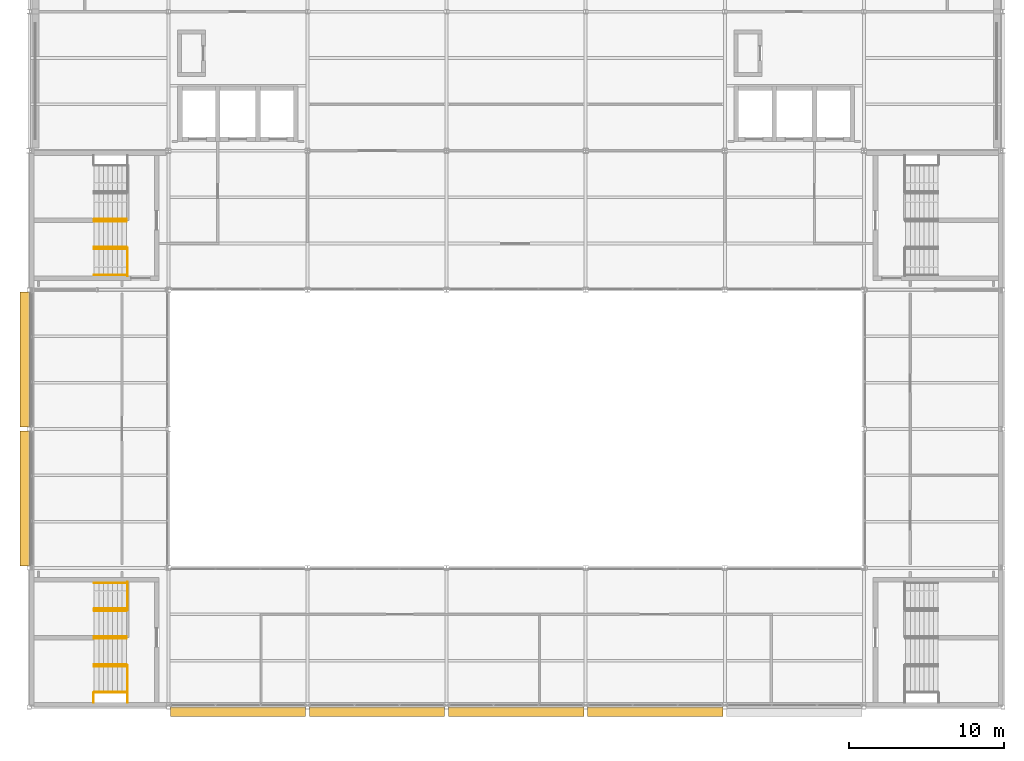
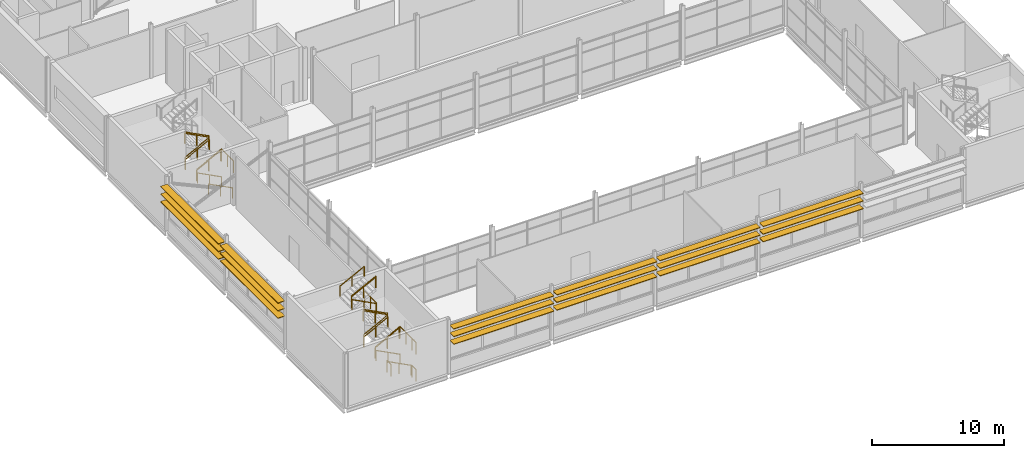
# One storey, part 59 of 61: 26 railings, 18 shading devices.
"""IFC4 building model written with IfcOpenShell, lengths in metres."""

from ifc_helpers import new_model, si_unit, direction, frame, origin, origin_2d, place, context, subcontext, project, spatial, rectangle, circle, extrude, material, layer, layer_set, type_object, element, save


model = new_model("IFC4")

# Units and contexts
model_context = context("Model", 3, precision=1e-05, world=origin(), true_north=direction((0.0, 1.0)))
body_context = subcontext(model_context, "Body", "Model", "MODEL_VIEW")
ifc_project = project(units=[si_unit("LENGTHUNIT", "METRE"), si_unit("AREAUNIT", "SQUARE_METRE"), si_unit("VOLUMEUNIT", "CUBIC_METRE"), si_unit("PLANEANGLEUNIT", "RADIAN"), si_unit("MASSUNIT", "GRAM", prefix="KILO")], contexts=[model_context])

# Site, building, storey
site_placement = place(None, origin())
site = spatial("IfcSite", under=ifc_project, at=site_placement, CompositionType="ELEMENT")
building_placement = place(site_placement, origin())
building = spatial("IfcBuilding", under=site, at=building_placement, Name="Shorebreak Coast Museum", CompositionType="ELEMENT")
storey_placement = place(building_placement, frame((0.0, 0.0, 26.0)))
storey = spatial("IfcBuildingStorey", under=building, at=storey_placement, Name="L04", CompositionType="ELEMENT", Elevation=26.0)

# Shading devices
ifc_material_1 = material(Name="Aluminium", Category="aluminium")
ifc_layer = layer(ifc_material_1, 0.06005859375)
ifc_layer_set = layer_set([ifc_layer], Name="Aluminium")
shading_device_type = type_object("IfcShadingDeviceType", Name="Aluminium louvre blade 60 x 600", PredefinedType="USERDEFINED", material=ifc_layer_set)
for number, where, z_axis, x_axis, name in (
    (1, (67.5, 53.699951171875, 4.337890625), (0.0, 0.0, 1.0), (1.0, 0.0, 0.0), "Aluminium louvre L04 S10"),
    (2, (67.5, 53.699951171875, 3.6376953125), (0.0, 0.0, 1.0), (1.0, 0.0, 0.0), "Aluminium louvre L04 S11"),
    (3, (67.5, 53.699951171875, 2.937744140625), (0.0, 0.0, 1.0), (1.0, 0.0, 0.0), "Aluminium louvre L04 S12"),
    (4, (76.5, 53.699951171875, 4.337890625), (0.0, 0.0, 1.0), (1.0, 0.0, 0.0), "Aluminium louvre L04 S13"),
    (5, (76.5, 53.699951171875, 3.6376953125), (0.0, 0.0, 1.0), (1.0, 0.0, 0.0), "Aluminium louvre L04 S14"),
    (6, (76.5, 53.699951171875, 2.937744140625), (0.0, 0.0, 1.0), (1.0, 0.0, 0.0), "Aluminium louvre L04 S15"),
    (7, (85.5, 53.699951171875, 4.337890625), (0.0, 0.0, 1.0), (1.0, 0.0, 0.0), "Aluminium louvre L04 S16"),
    (8, (85.5, 53.699951171875, 3.6376953125), (0.0, 0.0, 1.0), (1.0, 0.0, 0.0), "Aluminium louvre L04 S17"),
    (9, (85.5, 53.699951171875, 2.937744140625), (0.0, 0.0, 1.0), (1.0, 0.0, 0.0), "Aluminium louvre L04 S18"),
    (10, (94.5, 53.699951171875, 4.337890625), (0.0, 0.0, 1.0), (1.0, 0.0, 0.0), "Aluminium louvre L04 S19"),
    (11, (94.5, 53.699951171875, 3.6376953125), (0.0, 0.0, 1.0), (1.0, 0.0, 0.0), "Aluminium louvre L04 S20"),
    (12, (94.5, 53.699951171875, 2.937744140625), (0.0, 0.0, 1.0), (1.0, 0.0, 0.0), "Aluminium louvre L04 S21"),
):
    element("IfcShadingDevice", number, at=place(storey_placement, frame(where, z_axis=z_axis, x_axis=x_axis)), inside=storey, type_object=shading_device_type, Name=name, ObjectType="LOUVRE", PredefinedType="USERDEFINED", context=body_context, shape_type="SweptSolid", body=[
        extrude(rectangle(XDim=8.75, YDim=0.60009765625, at=origin_2d()), origin(), (0.0, 0.0, 1.0), 0.06005859375),
    ])
for number, where, z_axis, x_axis, name in (
    (13, (53.699951171875, 67.5, 4.238525390625), (0.0, 0.0, 1.0), (1.0, 0.0, 0.0), "Aluminium louvre L04 W25"),
    (14, (53.699951171875, 67.5, 3.53857421875), (0.0, 0.0, 1.0), (1.0, 0.0, 0.0), "Aluminium louvre L04 W26"),
    (15, (53.699951171875, 67.5, 2.838623046875), (0.0, 0.0, 1.0), (1.0, 0.0, 0.0), "Aluminium louvre L04 W27"),
    (16, (53.699951171875, 76.5, 4.238525390625), (0.0, 0.0, 1.0), (1.0, 0.0, 0.0), "Aluminium louvre L04 W28"),
    (17, (53.699951171875, 76.5, 3.53857421875), (0.0, 0.0, 1.0), (1.0, 0.0, 0.0), "Aluminium louvre L04 W29"),
    (18, (53.699951171875, 76.5, 2.838623046875), (0.0, 0.0, 1.0), (1.0, 0.0, 0.0), "Aluminium louvre L04 W30"),
):
    element("IfcShadingDevice", number, at=place(storey_placement, frame(where, z_axis=z_axis, x_axis=x_axis)), inside=storey, type_object=shading_device_type, Name=name, ObjectType="LOUVRE", PredefinedType="USERDEFINED", context=body_context, shape_type="SweptSolid", body=[
        extrude(rectangle(XDim=0.60009765625, YDim=8.75, at=origin_2d()), origin(), (0.0, 0.0, 1.0), 0.06005859375),
    ])

# Railings
ifc_material_2 = material(Name="Steel Grade 300", Category="steel")
railing_type_1 = type_object("IfcRailingType", Name="Stair guard 1100", PredefinedType="GUARDRAIL", material=ifc_material_2)
for number, where, name in (
    (19, (60.35009765625, 54.89990234375, 2.5), "Guard ST01 L04 landing mid1"),
    (20, (60.35009765625, 60.300048828125, 2.5), "Guard ST01 L04 landing mid1"),
):
    element("IfcRailing", number, at=place(storey_placement, frame(where)), inside=storey, type_object=railing_type_1, Name=name, PredefinedType="GUARDRAIL", context=body_context, shape_type="SweptSolid", body=[
        extrude(circle(Radius=0.02490234375, at=origin_2d()), frame((0.0, 0.0, 1.0751953125), z_axis=(0.0, 1.0, 0.0), x_axis=(-1.0, 0.0, 0.0)), (0.0, 0.0, 1.0), 1.800048828125),
        extrude(circle(Radius=0.02001953125, at=origin_2d()), origin(), (0.0, 0.0, 1.0), 1.050048828125),
        extrude(circle(Radius=0.02001953125, at=origin_2d()), frame((0.0, 0.89990234375, 0.0)), (0.0, 0.0, 1.0), 1.050048828125),
        extrude(circle(Radius=0.02001953125, at=origin_2d()), frame((0.0, 1.800048828125, 0.0)), (0.0, 0.0, 1.0), 1.050048828125),
    ])
for number, where, name in (
    (21, (60.35009765625, 54.300048828125, 0.0), "Guard ST01 L04 landing strip"),
    (22, (60.35009765625, 54.300048828125, 2.5), "Guard ST01 L04 landing strip"),
    (23, (58.14990234375, 54.300048828125, 1.25), "Guard ST01 L04 landing strip"),
):
    element("IfcRailing", number, at=place(storey_placement, frame(where)), inside=storey, type_object=railing_type_1, Name=name, PredefinedType="GUARDRAIL", context=body_context, shape_type="SweptSolid", body=[
        extrude(circle(Radius=0.02490234375, at=origin_2d()), frame((0.0, 0.0, 1.0751953125), z_axis=(0.0, 1.0, 0.0), x_axis=(-1.0, 0.0, 0.0)), (0.0, 0.0, 1.0), 0.599853515625),
        extrude(circle(Radius=0.02001953125, at=origin_2d()), origin(), (0.0, 0.0, 1.0), 1.050048828125),
        extrude(circle(Radius=0.02001953125, at=origin_2d()), frame((0.0, 0.599853515625, 0.0)), (0.0, 0.0, 1.0), 1.050048828125),
    ])
for number, where, name in (
    (24, (58.199951171875, 56.699951171875, 1.40625), "Guard ST01-L04 well 1"),
    (25, (58.199951171875, 60.300048828125, 3.90625), "Guard ST01-L04 well 2"),
    (26, (58.199951171875, 58.5, 1.40625), "Guard ST01-L04 side 1"),
):
    element("IfcRailing", number, at=place(storey_placement, frame(where)), inside=storey, type_object=railing_type_1, Name=name, PredefinedType="GUARDRAIL", context=body_context, shape_type="SweptSolid", body=[
        extrude(circle(Radius=0.02490234375, at=origin_2d()), frame((0.0, 0.0, 1.0751953125), z_axis=(0.8869228845, 0.0, 0.461917521804), x_axis=(0.0, 1.0, 0.0)), (0.0, 0.0, 1.0), 2.367919921875),
        extrude(circle(Radius=0.02001953125, at=origin_2d()), origin(), (0.0, 0.0, 1.0), 1.050048828125),
        extrude(circle(Radius=0.02001953125, at=origin_2d()), frame((1.050048828125, 0.0, 0.546875)), (0.0, 0.0, 1.0), 1.050048828125),
        extrude(circle(Radius=0.02001953125, at=origin_2d()), frame((2.10009765625, 0.0, 1.09375)), (0.0, 0.0, 1.0), 1.050048828125),
    ])
railing_1_placement = place(storey_placement, frame((60.300048828125, 58.5, 2.65625)))
element("IfcRailing", 27, at=railing_1_placement, inside=storey, type_object=railing_type_1, Name="Guard ST01-L04 side 2", PredefinedType="GUARDRAIL", context=body_context, shape_type="SweptSolid", body=[
    extrude(circle(Radius=0.02490234375, at=origin_2d()), frame((0.0, 0.0, 1.0751953125), z_axis=(-0.8869228845, 0.0, 0.461917521804), x_axis=(0.0, -1.0, 0.0)), (0.0, 0.0, 1.0), 2.367919921875),
    extrude(circle(Radius=0.02001953125, at=origin_2d()), origin(), (0.0, 0.0, 1.0), 1.050048828125),
    extrude(circle(Radius=0.02001953125, at=origin_2d()), frame((-1.050048828125, 0.0, 0.546875)), (0.0, 0.0, 1.0), 1.050048828125),
    extrude(circle(Radius=0.02001953125, at=origin_2d()), frame((-2.10009765625, 0.0, 1.09375)), (0.0, 0.0, 1.0), 1.050048828125),
])
railing_2_placement = place(storey_placement, frame((60.35009765625, 81.89990234375, 2.5)))
element("IfcRailing", 28, at=railing_2_placement, inside=storey, type_object=railing_type_1, Name="Guard ST03 L04 landing mid1", PredefinedType="GUARDRAIL", context=body_context, shape_type="SweptSolid", body=[
    extrude(circle(Radius=0.02490234375, at=origin_2d()), frame((0.0, 0.0, 1.0751953125), z_axis=(0.0, 1.0, 0.0), x_axis=(-1.0, 0.0, 0.0)), (0.0, 0.0, 1.0), 1.800048828125),
    extrude(circle(Radius=0.02001953125, at=origin_2d()), origin(), (0.0, 0.0, 1.0), 1.050048828125),
    extrude(circle(Radius=0.02001953125, at=origin_2d()), frame((0.0, 0.89990234375, 0.0)), (0.0, 0.0, 1.0), 1.050048828125),
    extrude(circle(Radius=0.02001953125, at=origin_2d()), frame((0.0, 1.800048828125, 0.0)), (0.0, 0.0, 1.0), 1.050048828125),
])
for number, where, name in (
    (29, (58.199951171875, 83.699951171875, 1.40625), "Guard ST03-L04 well 1"),
    (30, (58.199951171875, 85.5, 1.40625), "Guard ST03-L04 side 1"),
):
    element("IfcRailing", number, at=place(storey_placement, frame(where)), inside=storey, type_object=railing_type_1, Name=name, PredefinedType="GUARDRAIL", context=body_context, shape_type="SweptSolid", body=[
        extrude(circle(Radius=0.02490234375, at=origin_2d()), frame((0.0, 0.0, 1.0751953125), z_axis=(0.8869228845, 0.0, 0.461917521804), x_axis=(0.0, 1.0, 0.0)), (0.0, 0.0, 1.0), 2.367919921875),
        extrude(circle(Radius=0.02001953125, at=origin_2d()), origin(), (0.0, 0.0, 1.0), 1.050048828125),
        extrude(circle(Radius=0.02001953125, at=origin_2d()), frame((1.050048828125, 0.0, 0.546875)), (0.0, 0.0, 1.0), 1.050048828125),
        extrude(circle(Radius=0.02001953125, at=origin_2d()), frame((2.10009765625, 0.0, 1.09375)), (0.0, 0.0, 1.0), 1.050048828125),
    ])
railing_3_placement = place(storey_placement, frame((60.300048828125, 85.5, 2.65625)))
element("IfcRailing", 31, at=railing_3_placement, inside=storey, type_object=railing_type_1, Name="Guard ST03-L04 side 2", PredefinedType="GUARDRAIL", context=body_context, shape_type="SweptSolid", body=[
    extrude(circle(Radius=0.02490234375, at=origin_2d()), frame((0.0, 0.0, 1.0751953125), z_axis=(-0.8869228845, 0.0, 0.461917521804), x_axis=(0.0, -1.0, 0.0)), (0.0, 0.0, 1.0), 2.367919921875),
    extrude(circle(Radius=0.02001953125, at=origin_2d()), origin(), (0.0, 0.0, 1.0), 1.050048828125),
    extrude(circle(Radius=0.02001953125, at=origin_2d()), frame((-1.050048828125, 0.0, 0.546875)), (0.0, 0.0, 1.0), 1.050048828125),
    extrude(circle(Radius=0.02001953125, at=origin_2d()), frame((-2.10009765625, 0.0, 1.09375)), (0.0, 0.0, 1.0), 1.050048828125),
])
ifc_material_3 = material(Name="Steel Grade 300", Category="steel")
railing_type_2 = type_object("IfcRailingType", Name="Stair handrail 950", PredefinedType="HANDRAIL", material=ifc_material_3)
for number, where, name in (
    (32, (60.300048828125, 54.9599609375, 0.15625), "Handrail ST01-L04 flight 1a"),
    (33, (60.300048828125, 56.639892578125, 0.15625), "Handrail ST01-L04 flight 1b"),
):
    element("IfcRailing", number, at=place(storey_placement, frame(where)), inside=storey, type_object=railing_type_2, Name=name, PredefinedType="HANDRAIL", context=body_context, shape_type="SweptSolid", body=[
        extrude(circle(Radius=0.02490234375, at=origin_2d()), frame((0.0, 0.0, 0.9248046875), z_axis=(-0.8869228845, 0.0, 0.461917521804), x_axis=(0.0, -1.0, 0.0)), (0.0, 0.0, 1.0), 2.367919921875),
        extrude(circle(Radius=0.02001953125, at=origin_2d()), origin(), (0.0, 0.0, 1.0), 0.89990234375),
        extrude(circle(Radius=0.02001953125, at=origin_2d()), frame((-1.050048828125, 0.0, 0.546875)), (0.0, 0.0, 1.0), 0.89990234375),
        extrude(circle(Radius=0.02001953125, at=origin_2d()), frame((-2.10009765625, 0.0, 1.09375)), (0.0, 0.0, 1.0), 0.89990234375),
    ])
for number, where, name in (
    (34, (58.199951171875, 56.760009765625, 1.40625), "Handrail ST01-L04 flight 2a"),
    (35, (58.199951171875, 58.43994140625, 1.40625), "Handrail ST01-L04 flight 2b"),
):
    element("IfcRailing", number, at=place(storey_placement, frame(where)), inside=storey, type_object=railing_type_2, Name=name, PredefinedType="HANDRAIL", context=body_context, shape_type="SweptSolid", body=[
        extrude(circle(Radius=0.02490234375, at=origin_2d()), frame((0.0, 0.0, 0.9248046875), z_axis=(0.8869228845, 0.0, 0.461917521804), x_axis=(0.0, 1.0, 0.0)), (0.0, 0.0, 1.0), 2.367919921875),
        extrude(circle(Radius=0.02001953125, at=origin_2d()), origin(), (0.0, 0.0, 1.0), 0.89990234375),
        extrude(circle(Radius=0.02001953125, at=origin_2d()), frame((1.050048828125, 0.0, 0.546875)), (0.0, 0.0, 1.0), 0.89990234375),
        extrude(circle(Radius=0.02001953125, at=origin_2d()), frame((2.10009765625, 0.0, 1.09375)), (0.0, 0.0, 1.0), 0.89990234375),
    ])
for number, where, name in (
    (36, (60.300048828125, 58.56005859375, 2.65625), "Handrail ST01-L04 flight 3a"),
    (37, (60.300048828125, 60.239990234375, 2.65625), "Handrail ST01-L04 flight 3b"),
):
    element("IfcRailing", number, at=place(storey_placement, frame(where)), inside=storey, type_object=railing_type_2, Name=name, PredefinedType="HANDRAIL", context=body_context, shape_type="SweptSolid", body=[
        extrude(circle(Radius=0.02490234375, at=origin_2d()), frame((0.0, 0.0, 0.9248046875), z_axis=(-0.8869228845, 0.0, 0.461917521804), x_axis=(0.0, -1.0, 0.0)), (0.0, 0.0, 1.0), 2.367919921875),
        extrude(circle(Radius=0.02001953125, at=origin_2d()), origin(), (0.0, 0.0, 1.0), 0.89990234375),
        extrude(circle(Radius=0.02001953125, at=origin_2d()), frame((-1.050048828125, 0.0, 0.546875)), (0.0, 0.0, 1.0), 0.89990234375),
        extrude(circle(Radius=0.02001953125, at=origin_2d()), frame((-2.10009765625, 0.0, 1.09375)), (0.0, 0.0, 1.0), 0.89990234375),
    ])
for number, where, name in (
    (38, (58.199951171875, 60.360107421875, 3.90625), "Handrail ST01-L04 flight 4a"),
    (39, (58.199951171875, 62.0400390625, 3.90625), "Handrail ST01-L04 flight 4b"),
):
    element("IfcRailing", number, at=place(storey_placement, frame(where)), inside=storey, type_object=railing_type_2, Name=name, PredefinedType="HANDRAIL", context=body_context, shape_type="SweptSolid", body=[
        extrude(circle(Radius=0.02490234375, at=origin_2d()), frame((0.0, 0.0, 0.9248046875), z_axis=(0.8869228845, 0.0, 0.461917521804), x_axis=(0.0, 1.0, 0.0)), (0.0, 0.0, 1.0), 2.367919921875),
        extrude(circle(Radius=0.02001953125, at=origin_2d()), origin(), (0.0, 0.0, 1.0), 0.89990234375),
        extrude(circle(Radius=0.02001953125, at=origin_2d()), frame((1.050048828125, 0.0, 0.546875)), (0.0, 0.0, 1.0), 0.89990234375),
        extrude(circle(Radius=0.02001953125, at=origin_2d()), frame((2.10009765625, 0.0, 1.09375)), (0.0, 0.0, 1.0), 0.89990234375),
    ])
for number, where, name in (
    (40, (60.300048828125, 81.9599609375, 0.15625), "Handrail ST03-L04 flight 1a"),
    (41, (60.300048828125, 83.639892578125, 0.15625), "Handrail ST03-L04 flight 1b"),
):
    element("IfcRailing", number, at=place(storey_placement, frame(where)), inside=storey, type_object=railing_type_2, Name=name, PredefinedType="HANDRAIL", context=body_context, shape_type="SweptSolid", body=[
        extrude(circle(Radius=0.02490234375, at=origin_2d()), frame((0.0, 0.0, 0.9248046875), z_axis=(-0.8869228845, 0.0, 0.461917521804), x_axis=(0.0, -1.0, 0.0)), (0.0, 0.0, 1.0), 2.367919921875),
        extrude(circle(Radius=0.02001953125, at=origin_2d()), origin(), (0.0, 0.0, 1.0), 0.89990234375),
        extrude(circle(Radius=0.02001953125, at=origin_2d()), frame((-1.050048828125, 0.0, 0.546875)), (0.0, 0.0, 1.0), 0.89990234375),
        extrude(circle(Radius=0.02001953125, at=origin_2d()), frame((-2.10009765625, 0.0, 1.09375)), (0.0, 0.0, 1.0), 0.89990234375),
    ])
for number, where, name in (
    (42, (58.199951171875, 83.760009765625, 1.40625), "Handrail ST03-L04 flight 2a"),
    (43, (58.199951171875, 85.43994140625, 1.40625), "Handrail ST03-L04 flight 2b"),
):
    element("IfcRailing", number, at=place(storey_placement, frame(where)), inside=storey, type_object=railing_type_2, Name=name, PredefinedType="HANDRAIL", context=body_context, shape_type="SweptSolid", body=[
        extrude(circle(Radius=0.02490234375, at=origin_2d()), frame((0.0, 0.0, 0.9248046875), z_axis=(0.8869228845, 0.0, 0.461917521804), x_axis=(0.0, 1.0, 0.0)), (0.0, 0.0, 1.0), 2.367919921875),
        extrude(circle(Radius=0.02001953125, at=origin_2d()), origin(), (0.0, 0.0, 1.0), 0.89990234375),
        extrude(circle(Radius=0.02001953125, at=origin_2d()), frame((1.050048828125, 0.0, 0.546875)), (0.0, 0.0, 1.0), 0.89990234375),
        extrude(circle(Radius=0.02001953125, at=origin_2d()), frame((2.10009765625, 0.0, 1.09375)), (0.0, 0.0, 1.0), 0.89990234375),
    ])
railing_4_placement = place(storey_placement, frame((60.300048828125, 85.56005859375, 2.65625)))
element("IfcRailing", 44, at=railing_4_placement, inside=storey, type_object=railing_type_2, Name="Handrail ST03-L04 flight 3a", PredefinedType="HANDRAIL", context=body_context, shape_type="SweptSolid", body=[
    extrude(circle(Radius=0.02490234375, at=origin_2d()), frame((0.0, 0.0, 0.9248046875), z_axis=(-0.8869228845, 0.0, 0.461917521804), x_axis=(0.0, -1.0, 0.0)), (0.0, 0.0, 1.0), 2.367919921875),
    extrude(circle(Radius=0.02001953125, at=origin_2d()), origin(), (0.0, 0.0, 1.0), 0.89990234375),
    extrude(circle(Radius=0.02001953125, at=origin_2d()), frame((-1.050048828125, 0.0, 0.546875)), (0.0, 0.0, 1.0), 0.89990234375),
    extrude(circle(Radius=0.02001953125, at=origin_2d()), frame((-2.10009765625, 0.0, 1.09375)), (0.0, 0.0, 1.0), 0.89990234375),
])

save(model, "model.ifc")
